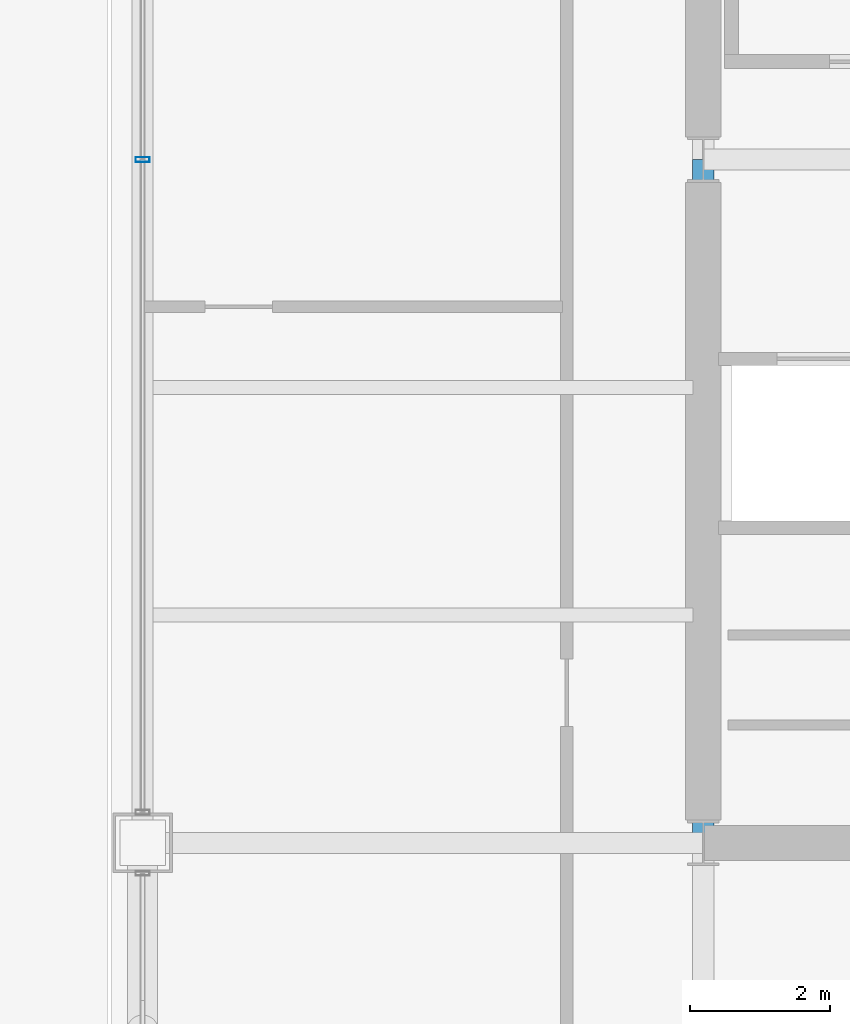
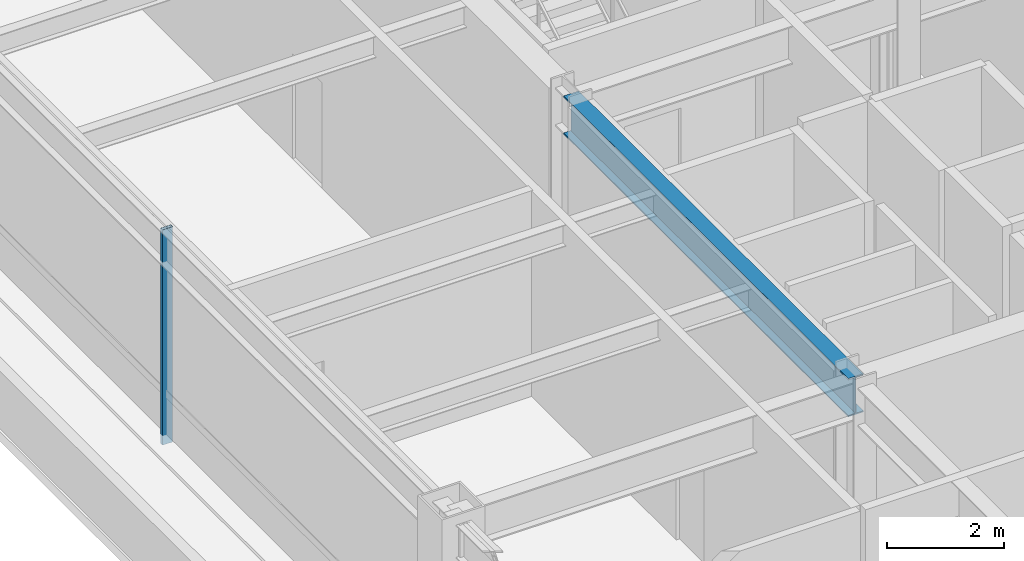
# One storey, part 8 of 32: 1 beam, 1 member, 1 element without a shape of its own.
"""IFC4 building model written with IfcOpenShell, lengths in metres."""

from ifc_helpers import new_model, si_unit, direction, frame, origin, origin_2d, place, context, subcontext, project, spatial, hollow_rectangle, i_section, extrude, material, layer, layer_set, material_profile, profile_set, type_object, element, aggregate, save


model = new_model("IFC4")

# Units and contexts
model_context = context("Model", 3, precision=1e-05, world=origin(), true_north=direction((0.0, 1.0)))
body_context = subcontext(model_context, "Body", "Model", "MODEL_VIEW")
ifc_project = project(units=[si_unit("LENGTHUNIT", "METRE"), si_unit("AREAUNIT", "SQUARE_METRE"), si_unit("VOLUMEUNIT", "CUBIC_METRE"), si_unit("PLANEANGLEUNIT", "RADIAN"), si_unit("MASSUNIT", "GRAM", prefix="KILO")], contexts=[model_context])

# Site, building, storey
site_placement = place(None, origin())
site = spatial("IfcSite", under=ifc_project, at=site_placement, CompositionType="ELEMENT")
building_placement = place(site_placement, origin())
building = spatial("IfcBuilding", under=site, at=building_placement, Name="Brelmoor Portico Tower", CompositionType="ELEMENT")
storey_placement = place(building_placement, frame((0.0, 0.0, 87.300048828125)))
storey = spatial("IfcBuildingStorey", under=building, at=storey_placement, Name="L22", CompositionType="ELEMENT", Elevation=87.300048828125)

# Beam
ifc_material_1 = material(Name="Steel Q355B", Category="steel")
ifc_material_profile_1 = material_profile(ifc_material_1, i_section(OverallWidth=0.300048828125, OverallDepth=0.800048828125, WebThickness=0.013916015625, FlangeThickness=0.02587890625, at=origin_2d()), Name="HN 800x300x14x26")
ifc_profile_set_1 = profile_set([ifc_material_profile_1], Name="Steel Q355B")
beam_type = type_object("IfcBeamType", Name="BM-PG-800", PredefinedType="BEAM", material=ifc_profile_set_1)
beam_placement = place(storey_placement, frame((-14.550048828125, -9.75, 3.89990234375), z_axis=(0.0, 1.0, 0.0), x_axis=(-1.0, 0.0, 0.0)))
element("IfcBeam", 1, at=beam_placement, inside=storey, type_object=beam_type, Name="L22 Primary Floor Girder PG-02", PredefinedType="BEAM", context=body_context, shape_type="SweptSolid", body=[
    extrude(i_section(OverallWidth=0.300048828125, OverallDepth=0.800048828125, WebThickness=0.013916015625, FlangeThickness=0.02587890625, at=origin_2d()), origin(), (0.0, 0.0, 1.0), 9.75),
])

# Curtain wall, member
ifc_material_2 = material(Name="Anodised Aluminium Alloy 6063-T6", Category="aluminium")
ifc_layer = layer(ifc_material_2, 0.179931640625)
ifc_layer_set = layer_set([ifc_layer], Name="Anodised Aluminium Alloy 6063-T6")
curtain_wall_type = type_object("IfcCurtainWallType", Name="CW-SKYLOBBY", PredefinedType="NOTDEFINED", material=ifc_layer_set)
curtain_wall_placement = place(storey_placement, origin())
curtain_wall = element("IfcCurtainWall", 2, at=curtain_wall_placement, inside=storey, type_object=curtain_wall_type, Name="L22 Curtain Wall CW-L22-03-2", PredefinedType="NOTDEFINED")
ifc_material_profile_2 = material_profile(ifc_material_2, hollow_rectangle(XDim=0.070068359375, YDim=0.199951171875, WallThickness=0.00439453125, at=origin_2d()), Name="ALU MULLION 70x200")
ifc_profile_set_2 = profile_set([ifc_material_profile_2], Name="Anodised Aluminium Alloy 6063-T6")
member_type = type_object("IfcMemberType", Name="MB-CW-MULL-200", PredefinedType="MULLION", material=ifc_profile_set_2)
member_placement = place(storey_placement, frame((-22.550048828125, 0.0, -0.199951171875), z_axis=(0.0, 0.0, 1.0), x_axis=(0.0, 1.0, 0.0)))
member = element("IfcMember", 3, at=member_placement, type_object=member_type, Name="CW-L22-03-2 Mullion 01", PredefinedType="MULLION", context=body_context, shape_type="SweptSolid", body=[
    extrude(hollow_rectangle(XDim=0.070068359375, YDim=0.199951171875, WallThickness=0.00439453125, at=origin_2d()), origin(), (0.0, 0.0, 1.0), 4.5),
])
aggregate(curtain_wall, [member])

save(model, "model.ifc")
